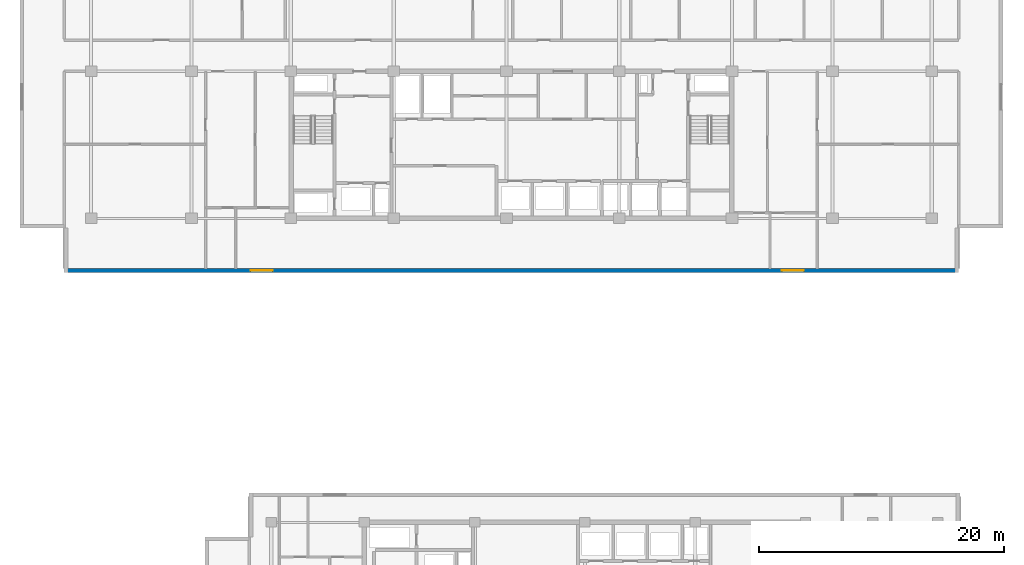
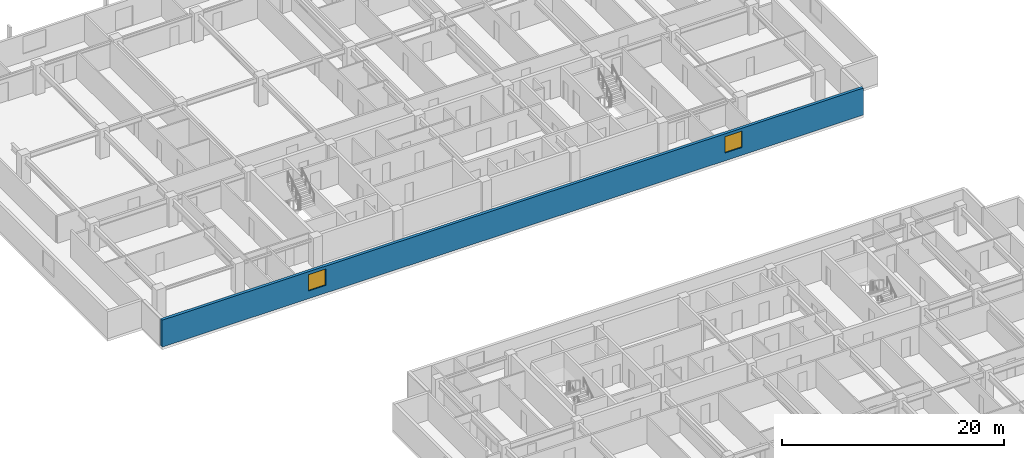
# One storey, part 8 of 21: 2 windows, 1 wall, 2 openings.
"""IFC4 building model written with IfcOpenShell, lengths in metres."""

from ifc_helpers import new_model, si_unit, direction, frame, frame_2d, origin, place, context, subcontext, project, spatial, rectangle, extrude, material, layer, layer_set, type_object, element, fill, save


model = new_model("IFC4")

# Units and contexts
model_context = context("Model", 3, precision=1e-05, world=origin(), true_north=direction((0.0, 1.0)))
body_context = subcontext(model_context, "Body", "Model", "MODEL_VIEW")
ifc_project = project(units=[si_unit("LENGTHUNIT", "METRE"), si_unit("AREAUNIT", "SQUARE_METRE"), si_unit("VOLUMEUNIT", "CUBIC_METRE"), si_unit("PLANEANGLEUNIT", "RADIAN"), si_unit("MASSUNIT", "GRAM", prefix="KILO")], contexts=[model_context])

# Site, building, storey
site_placement = place(None, origin())
site = spatial("IfcSite", under=ifc_project, at=site_placement, CompositionType="ELEMENT")
building_placement = place(site_placement, origin())
building = spatial("IfcBuilding", under=site, at=building_placement, Name="Korimba Cascade Residences", CompositionType="ELEMENT")
storey_placement = place(building_placement, frame((0.0, 0.0, 103.550048828125)))
storey = spatial("IfcBuildingStorey", under=building, at=storey_placement, Name="L29", CompositionType="ELEMENT", Elevation=103.550048828125)

# Wall, openings, windows
ifc_material_1 = material(Name="Precast concrete C40/50", Category="concrete")
ifc_layer = layer(ifc_material_1, 0.300048828125)
ifc_layer_set = layer_set([ifc_layer], Name="Precast concrete C40/50")
wall_type = type_object("IfcWallType", Name="EW-STONE-300", PredefinedType="STANDARD", material=ifc_layer_set)
wall_placement = place(storey_placement, frame((57.60009765625, 50.949951171875, 0.0), z_axis=(0.0, 0.0, 1.0), x_axis=(1.0, 0.0, 0.0)))
wall = element("IfcWall", 1, at=wall_placement, inside=storey, type_object=wall_type, Name="L29 T1 Perimeter Stone Wall E00", PredefinedType="STANDARD", context=body_context, shape_type="SweptSolid", body=[
    extrude(rectangle(XDim=73.0, YDim=0.300048828125, at=frame_2d((36.5, 0.0))), origin(), (0.0, 0.0, 1.0), 2.969970703125),
])
opening_1_placement = place(wall_placement, frame((15.22509765625, 0.0, 0.85009765625)))
opening_1 = element("IfcOpeningElement", 2, at=opening_1_placement, cuts=wall, Name="Opening W-02", PredefinedType="OPENING", context=body_context, shape_type="SweptSolid", body=[
    extrude(rectangle(XDim=1.800048828125, YDim=1.800048828125, at=frame_2d((0.89990234375, 0.89990234375))), frame((0.0, 0.16015625, 0.0), z_axis=(0.0, -1.0, 0.0), x_axis=(1.0, 0.0, 0.0)), (0.0, 0.0, 1.0), 0.320068359375),
])
opening_2_placement = place(wall_placement, frame((58.574951171875, 0.0, 0.85009765625)))
opening_2 = element("IfcOpeningElement", 3, at=opening_2_placement, cuts=wall, Name="Opening W-02", PredefinedType="OPENING", context=body_context, shape_type="SweptSolid", body=[
    extrude(rectangle(XDim=1.800048828125, YDim=1.800048828125, at=frame_2d((0.89990234375, 0.89990234375))), frame((0.0, 0.16015625, 0.0), z_axis=(0.0, -1.0, 0.0), x_axis=(1.0, 0.0, 0.0)), (0.0, 0.0, 1.0), 0.320068359375),
])
ifc_material_2 = material(Name="Double-Glazed Aluminium Window", Category="aluminium")
window_type = type_object("IfcWindowType", Name="WIN-BED-1800", PartitioningType="SINGLE_PANEL", PredefinedType="WINDOW", material=ifc_material_2)
window_1_placement = place(opening_1_placement, origin())
window_1 = element("IfcWindow", 4, at=window_1_placement, inside=storey, type_object=window_type, Name="L29 T1 South Corner Bedroom Window 1", OverallHeight=1.800048828125, OverallWidth=1.800048828125, PartitioningType="SINGLE_PANEL", PredefinedType="WINDOW", context=body_context, shape_type="SweptSolid", body=[
    extrude(rectangle(XDim=1.800048828125, YDim=1.800048828125, at=frame_2d((0.89990234375, 0.89990234375))), frame((0.0, 0.030029296875, 0.0), z_axis=(0.0, -1.0, 0.0), x_axis=(1.0, 0.0, 0.0)), (0.0, 0.0, 1.0), 0.06005859375),
])
fill(opening_1, window_1)
window_2_placement = place(opening_2_placement, origin())
window_2 = element("IfcWindow", 5, at=window_2_placement, inside=storey, type_object=window_type, Name="L29 T1 South Corner Bedroom Window 2", OverallHeight=1.800048828125, OverallWidth=1.800048828125, PartitioningType="SINGLE_PANEL", PredefinedType="WINDOW", context=body_context, shape_type="SweptSolid", body=[
    extrude(rectangle(XDim=1.800048828125, YDim=1.800048828125, at=frame_2d((0.89990234375, 0.89990234375))), frame((0.0, 0.030029296875, 0.0), z_axis=(0.0, -1.0, 0.0), x_axis=(1.0, 0.0, 0.0)), (0.0, 0.0, 1.0), 0.06005859375),
])
fill(opening_2, window_2)

save(model, "model.ifc")
